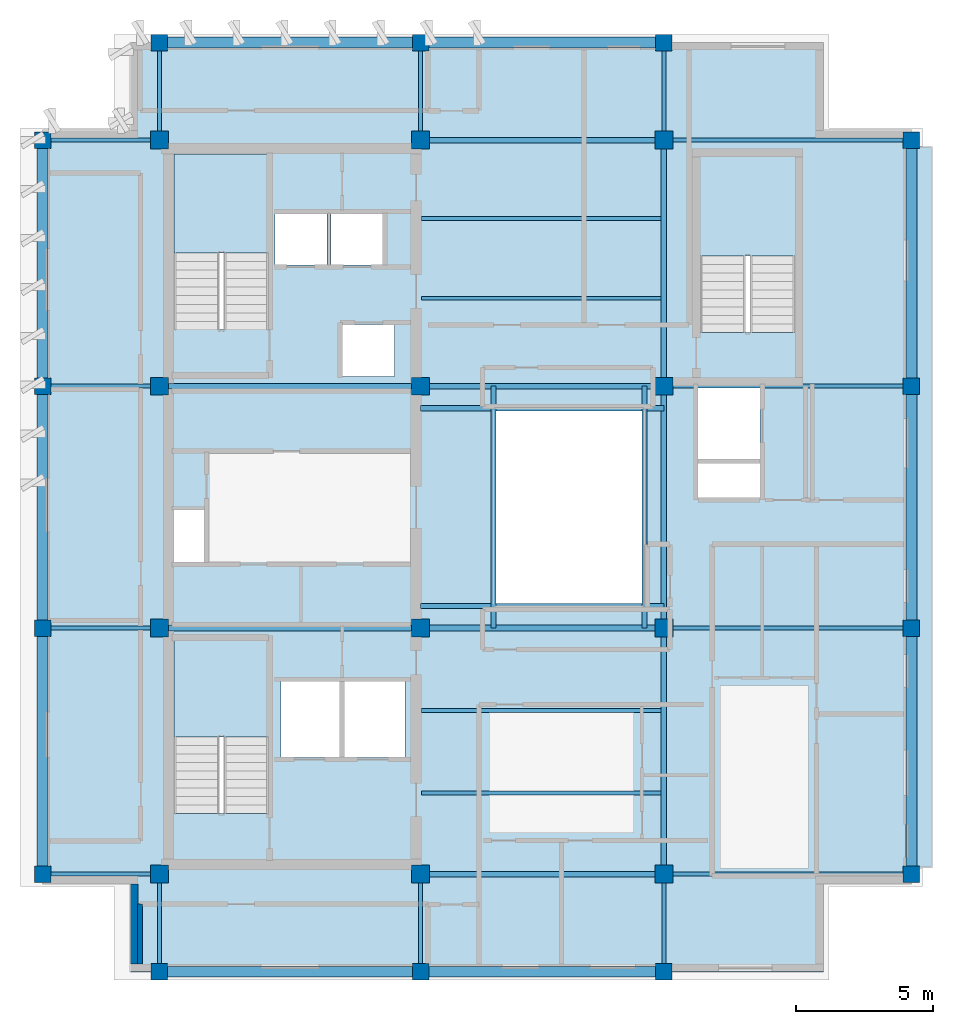
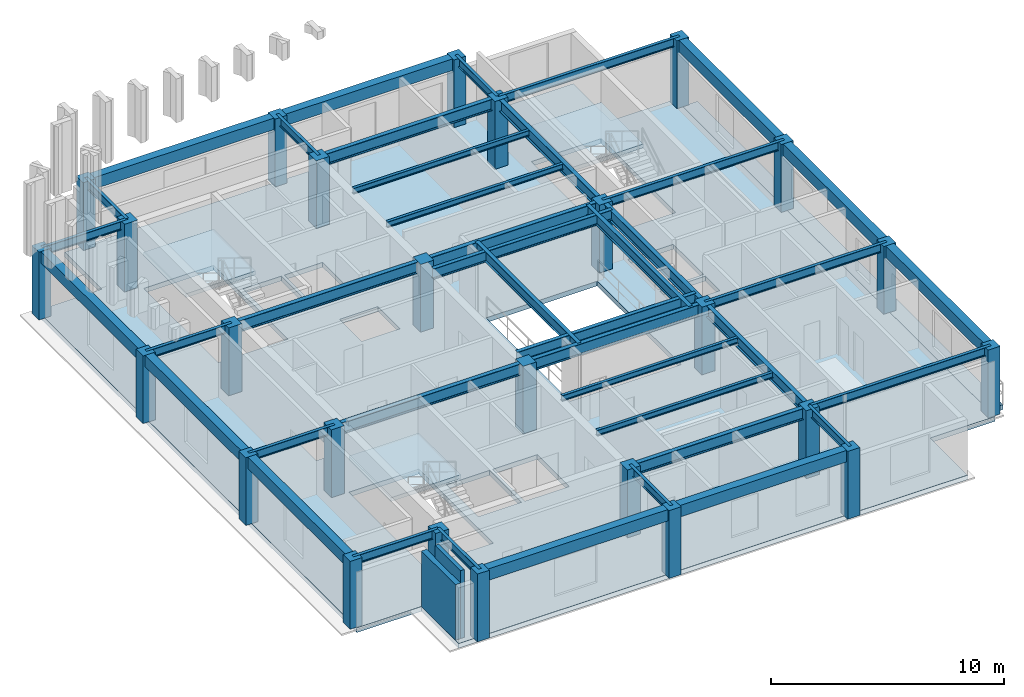
# One storey, part 1 of 9: 41 beams, 26 columns, 5 slabs, 2 walls, 3 elements without a shape of their own.
"""IFC4 building model written with IfcOpenShell, lengths in metres."""

from ifc_helpers import new_model, si_unit, direction, frame, frame_2d, origin, origin_2d, place, context, subcontext, project, spatial, polyline, rectangle, i_section, outline, extrude, material, layer, layer_set, material_profile, profile_set, type_object, element, aggregate, save


model = new_model("IFC4")

# Units and contexts
model_context = context("Model", 3, precision=1e-05, world=origin(), true_north=direction((0.0, 1.0)))
body_context = subcontext(model_context, "Body", "Model", "MODEL_VIEW")
ifc_project = project(units=[si_unit("LENGTHUNIT", "METRE"), si_unit("AREAUNIT", "SQUARE_METRE"), si_unit("VOLUMEUNIT", "CUBIC_METRE"), si_unit("PLANEANGLEUNIT", "RADIAN"), si_unit("MASSUNIT", "GRAM", prefix="KILO")], contexts=[model_context])

# Site, building, storey
site_placement = place(None, origin())
site = spatial("IfcSite", under=ifc_project, at=site_placement, CompositionType="ELEMENT")
building_placement = place(site_placement, origin())
building = spatial("IfcBuilding", under=site, at=building_placement, Name="Kundavana Baori Tower", CompositionType="ELEMENT")
storey_placement = place(building_placement, frame((0.0, 0.0, 342.89990234375)))
storey = spatial("IfcBuildingStorey", under=building, at=storey_placement, Name="L85", CompositionType="ELEMENT", Elevation=342.89990234375)

# Columns
ifc_material_1 = material(Name="Concrete C50/60", Category="concrete")
ifc_material_profile_1 = material_profile(ifc_material_1, rectangle(XDim=0.60009765625, YDim=0.60009765625, at=origin_2d()), Name="RC PF 600x600")
ifc_profile_set_1 = profile_set([ifc_material_profile_1], Name="Concrete C50/60")
column_type_1 = type_object("IfcColumnType", Name="COL-PF-600", PredefinedType="COLUMN", material=ifc_profile_set_1)
for number, where, z_axis, x_axis, name in (
    (1, (15.449951171875, 11.699951171875, 0.0), (0.0, 0.0, 1.0), (1.0, 0.0, 0.0), "L85 Stone-Clad Perimeter Frame Column PF-S1"),
    (2, (15.449951171875, 45.5, 0.0), (0.0, 0.0, 1.0), (1.0, 0.0, 0.0), "L85 Stone-Clad Perimeter Frame Column PF-N1"),
    (3, (24.949951171875, 11.699951171875, 0.0), (0.0, 0.0, 1.0), (1.0, 0.0, 0.0), "L85 Stone-Clad Perimeter Frame Column PF-S2"),
    (4, (24.949951171875, 45.5, 0.0), (0.0, 0.0, 1.0), (1.0, 0.0, 0.0), "L85 Stone-Clad Perimeter Frame Column PF-N2"),
    (5, (33.800048828125, 11.699951171875, 0.0), (0.0, 0.0, 1.0), (1.0, 0.0, 0.0), "L85 Stone-Clad Perimeter Frame Column PF-S3"),
    (6, (33.800048828125, 45.5, 0.0), (0.0, 0.0, 1.0), (1.0, 0.0, 0.0), "L85 Stone-Clad Perimeter Frame Column PF-N3"),
    (7, (11.199951171875, 15.25, 0.0), (0.0, 0.0, 1.0), (1.0, 0.0, 0.0), "L85 Stone-Clad Perimeter Frame Column PF-W1"),
    (8, (42.800048828125, 15.25, 0.0), (0.0, 0.0, 1.0), (1.0, 0.0, 0.0), "L85 Stone-Clad Perimeter Frame Column PF-E1"),
    (9, (11.199951171875, 24.199951171875, 0.0), (0.0, 0.0, 1.0), (1.0, 0.0, 0.0), "L85 Stone-Clad Perimeter Frame Column PF-W2"),
    (10, (42.800048828125, 24.199951171875, 0.0), (0.0, 0.0, 1.0), (1.0, 0.0, 0.0), "L85 Stone-Clad Perimeter Frame Column PF-E2"),
    (11, (11.199951171875, 33.0, 0.0), (0.0, 0.0, 1.0), (1.0, 0.0, 0.0), "L85 Stone-Clad Perimeter Frame Column PF-W3"),
    (12, (42.800048828125, 33.0, 0.0), (0.0, 0.0, 1.0), (1.0, 0.0, 0.0), "L85 Stone-Clad Perimeter Frame Column PF-E3"),
    (13, (11.199951171875, 41.949951171875, 0.0), (0.0, 0.0, 1.0), (1.0, 0.0, 0.0), "L85 Stone-Clad Perimeter Frame Column PF-W4"),
    (14, (42.800048828125, 41.949951171875, 0.0), (0.0, 0.0, 1.0), (1.0, 0.0, 0.0), "L85 Stone-Clad Perimeter Frame Column PF-E4"),
):
    element("IfcColumn", number, at=place(storey_placement, frame(where, z_axis=z_axis, x_axis=x_axis)), inside=storey, type_object=column_type_1, Name=name, PredefinedType="COLUMN", context=body_context, shape_type="SweptSolid", body=[
        extrude(rectangle(XDim=0.60009765625, YDim=0.60009765625, at=origin_2d()), origin(), (0.0, 0.0, 1.0), 3.550048828125),
    ])
ifc_material_2 = material(Name="Concrete C50/60", Category="concrete")
ifc_material_profile_2 = material_profile(ifc_material_2, rectangle(XDim=0.64990234375, YDim=0.64990234375, at=origin_2d()), Name="RC 650x650")
ifc_profile_set_2 = profile_set([ifc_material_profile_2], Name="Concrete C50/60")
column_type_2 = type_object("IfcColumnType", Name="COL-RC-650", PredefinedType="COLUMN", material=ifc_profile_set_2)
for number, where, z_axis, x_axis, name in (
    (15, (15.449951171875, 15.25, 0.0), (0.0, 0.0, 1.0), (1.0, 0.0, 0.0), "L85 Interior Column IC-3C"),
    (16, (15.449951171875, 24.199951171875, 0.0), (0.0, 0.0, 1.0), (1.0, 0.0, 0.0), "L85 Interior Column IC-3D"),
    (17, (15.449951171875, 33.0, 0.0), (0.0, 0.0, 1.0), (1.0, 0.0, 0.0), "L85 Interior Column IC-3E"),
    (18, (15.449951171875, 41.949951171875, 0.0), (0.0, 0.0, 1.0), (1.0, 0.0, 0.0), "L85 Interior Column IC-3F"),
    (19, (24.949951171875, 15.25, 0.0), (0.0, 0.0, 1.0), (1.0, 0.0, 0.0), "L85 Interior Column IC-4C"),
    (20, (24.949951171875, 24.199951171875, 0.0), (0.0, 0.0, 1.0), (1.0, 0.0, 0.0), "L85 Interior Column IC-4D"),
    (21, (24.949951171875, 33.0, 0.0), (0.0, 0.0, 1.0), (1.0, 0.0, 0.0), "L85 Interior Column IC-4E"),
    (22, (24.949951171875, 41.949951171875, 0.0), (0.0, 0.0, 1.0), (1.0, 0.0, 0.0), "L85 Interior Column IC-4F"),
    (23, (33.800048828125, 15.25, 0.0), (0.0, 0.0, 1.0), (1.0, 0.0, 0.0), "L85 Interior Column IC-5C"),
    (24, (33.800048828125, 24.199951171875, 0.0), (0.0, 0.0, 1.0), (1.0, 0.0, 0.0), "L85 Interior Column IC-5D"),
    (25, (33.800048828125, 33.0, 0.0), (0.0, 0.0, 1.0), (1.0, 0.0, 0.0), "L85 Interior Column IC-5E"),
    (26, (33.800048828125, 41.949951171875, 0.0), (0.0, 0.0, 1.0), (1.0, 0.0, 0.0), "L85 Interior Column IC-5F"),
):
    element("IfcColumn", number, at=place(storey_placement, frame(where, z_axis=z_axis, x_axis=x_axis)), inside=storey, type_object=column_type_2, Name=name, PredefinedType="COLUMN", context=body_context, shape_type="SweptSolid", body=[
        extrude(rectangle(XDim=0.64990234375, YDim=0.64990234375, at=origin_2d()), origin(), (0.0, 0.0, 1.0), 3.550048828125),
    ])

# Beams
ifc_material_3 = material(Name="Concrete C50/60", Category="concrete")
ifc_material_profile_3 = material_profile(ifc_material_3, rectangle(XDim=0.39990234375, YDim=0.60009765625, at=origin_2d()), Name="RC BM 400x600")
ifc_profile_set_3 = profile_set([ifc_material_profile_3], Name="Concrete C50/60")
beam_type_1 = type_object("IfcBeamType", Name="BM-PF-600", PredefinedType="SPANDREL", material=ifc_profile_set_3)
beam_1_placement = place(storey_placement, frame((15.449951171875, 11.699951171875, 3.25), z_axis=(1.0, 0.0, 0.0), x_axis=(0.0, 1.0, 0.0)))
element("IfcBeam", 27, at=beam_1_placement, inside=storey, type_object=beam_type_1, Name="L85 Perimeter Frame Ring Beam S1", PredefinedType="SPANDREL", context=body_context, shape_type="SweptSolid", body=[
    extrude(rectangle(XDim=0.39990234375, YDim=0.60009765625, at=origin_2d()), origin(), (0.0, 0.0, 1.0), 9.5),
])
beam_2_placement = place(storey_placement, frame((24.949951171875, 11.699951171875, 3.25), z_axis=(1.0, 0.0, 0.0), x_axis=(0.0, 1.0, 0.0)))
element("IfcBeam", 28, at=beam_2_placement, inside=storey, type_object=beam_type_1, Name="L85 Perimeter Frame Ring Beam S2", PredefinedType="SPANDREL", context=body_context, shape_type="SweptSolid", body=[
    extrude(rectangle(XDim=0.39990234375, YDim=0.60009765625, at=origin_2d()), origin(), (0.0, 0.0, 1.0), 8.85009765625),
])
beam_3_placement = place(storey_placement, frame((15.449951171875, 45.5, 3.25), z_axis=(1.0, 0.0, 0.0), x_axis=(0.0, 1.0, 0.0)))
element("IfcBeam", 29, at=beam_3_placement, inside=storey, type_object=beam_type_1, Name="L85 Perimeter Frame Ring Beam N1", PredefinedType="SPANDREL", context=body_context, shape_type="SweptSolid", body=[
    extrude(rectangle(XDim=0.39990234375, YDim=0.60009765625, at=origin_2d()), origin(), (0.0, 0.0, 1.0), 9.5),
])
beam_4_placement = place(storey_placement, frame((24.949951171875, 45.5, 3.25), z_axis=(1.0, 0.0, 0.0), x_axis=(0.0, 1.0, 0.0)))
element("IfcBeam", 30, at=beam_4_placement, inside=storey, type_object=beam_type_1, Name="L85 Perimeter Frame Ring Beam N2", PredefinedType="SPANDREL", context=body_context, shape_type="SweptSolid", body=[
    extrude(rectangle(XDim=0.39990234375, YDim=0.60009765625, at=origin_2d()), origin(), (0.0, 0.0, 1.0), 8.85009765625),
])
beam_5_placement = place(storey_placement, frame((11.199951171875, 15.25, 3.25), z_axis=(0.0, 1.0, 0.0), x_axis=(-1.0, 0.0, 0.0)))
element("IfcBeam", 31, at=beam_5_placement, inside=storey, type_object=beam_type_1, Name="L85 Perimeter Frame Ring Beam W1", PredefinedType="SPANDREL", context=body_context, shape_type="SweptSolid", body=[
    extrude(rectangle(XDim=0.39990234375, YDim=0.60009765625, at=origin_2d()), origin(), (0.0, 0.0, 1.0), 8.949951171875),
])
beam_6_placement = place(storey_placement, frame((11.199951171875, 24.199951171875, 3.25), z_axis=(0.0, 1.0, 0.0), x_axis=(-1.0, 0.0, 0.0)))
element("IfcBeam", 32, at=beam_6_placement, inside=storey, type_object=beam_type_1, Name="L85 Perimeter Frame Ring Beam W2", PredefinedType="SPANDREL", context=body_context, shape_type="SweptSolid", body=[
    extrude(rectangle(XDim=0.39990234375, YDim=0.60009765625, at=origin_2d()), origin(), (0.0, 0.0, 1.0), 8.800048828125),
])
for number, where, z_axis, x_axis, name in (
    (33, (11.199951171875, 33.0, 3.25), (0.0, 1.0, 0.0), (-1.0, 0.0, 0.0), "L85 Perimeter Frame Ring Beam W3"),
    (34, (42.800048828125, 15.25, 3.25), (0.0, 1.0, 0.0), (-1.0, 0.0, 0.0), "L85 Perimeter Frame Ring Beam E1"),
):
    element("IfcBeam", number, at=place(storey_placement, frame(where, z_axis=z_axis, x_axis=x_axis)), inside=storey, type_object=beam_type_1, Name=name, PredefinedType="SPANDREL", context=body_context, shape_type="SweptSolid", body=[
        extrude(rectangle(XDim=0.39990234375, YDim=0.60009765625, at=origin_2d()), origin(), (0.0, 0.0, 1.0), 8.949951171875),
    ])
beam_7_placement = place(storey_placement, frame((42.800048828125, 24.199951171875, 3.25), z_axis=(0.0, 1.0, 0.0), x_axis=(-1.0, 0.0, 0.0)))
element("IfcBeam", 35, at=beam_7_placement, inside=storey, type_object=beam_type_1, Name="L85 Perimeter Frame Ring Beam E2", PredefinedType="SPANDREL", context=body_context, shape_type="SweptSolid", body=[
    extrude(rectangle(XDim=0.39990234375, YDim=0.60009765625, at=origin_2d()), origin(), (0.0, 0.0, 1.0), 8.800048828125),
])
beam_8_placement = place(storey_placement, frame((42.800048828125, 33.0, 3.25), z_axis=(0.0, 1.0, 0.0), x_axis=(-1.0, 0.0, 0.0)))
element("IfcBeam", 36, at=beam_8_placement, inside=storey, type_object=beam_type_1, Name="L85 Perimeter Frame Ring Beam E3", PredefinedType="SPANDREL", context=body_context, shape_type="SweptSolid", body=[
    extrude(rectangle(XDim=0.39990234375, YDim=0.60009765625, at=origin_2d()), origin(), (0.0, 0.0, 1.0), 8.949951171875),
])
ifc_material_4 = material(Name="Structural Steel S355JR", Category="steel")
ifc_material_profile_4 = material_profile(ifc_material_4, i_section(OverallWidth=0.139892578125, OverallDepth=0.300048828125, WebThickness=0.0078125, FlangeThickness=0.01318359375, FilletRadius=0.013916015625, at=origin_2d()), Name="ISMB 300")
ifc_profile_set_4 = profile_set([ifc_material_profile_4], Name="Structural Steel S355JR")
beam_type_2 = type_object("IfcBeamType", Name="BM-RF-300", PredefinedType="BEAM", material=ifc_profile_set_4)
for number, where, z_axis, x_axis, name in (
    (37, (24.97998046875, 18.199951171875, 3.400146484375), (1.0, 0.0, 0.0), (0.0, 1.0, 0.0), "L85 Central Bay Composite Floor Joist C1"),
    (38, (24.97998046875, 21.199951171875, 3.400146484375), (1.0, 0.0, 0.0), (0.0, 1.0, 0.0), "L85 Central Bay Composite Floor Joist C2"),
    (39, (24.97998046875, 36.199951171875, 3.400146484375), (1.0, 0.0, 0.0), (0.0, 1.0, 0.0), "L85 Central Bay Composite Floor Joist C3"),
    (40, (24.97998046875, 39.10009765625, 3.400146484375), (1.0, 0.0, 0.0), (0.0, 1.0, 0.0), "L85 Central Bay Composite Floor Joist C4"),
):
    element("IfcBeam", number, at=place(storey_placement, frame(where, z_axis=z_axis, x_axis=x_axis)), inside=storey, type_object=beam_type_2, Name=name, PredefinedType="BEAM", context=body_context, shape_type="SweptSolid", body=[
        extrude(i_section(OverallWidth=0.139892578125, OverallDepth=0.300048828125, WebThickness=0.0078125, FlangeThickness=0.01318359375, FilletRadius=0.013916015625, at=origin_2d()), origin(), (0.0, 0.0, 1.0), 8.715087890625),
    ])
ifc_material_5 = material(Name="Structural Steel S355JR", Category="steel")
ifc_material_profile_5 = material_profile(ifc_material_5, i_section(OverallWidth=0.18994140625, OverallDepth=0.550048828125, WebThickness=0.01123046875, FlangeThickness=0.019287109375, FilletRadius=0.01806640625, at=origin_2d()), Name="ISMB 550")
ifc_profile_set_5 = profile_set([ifc_material_profile_5], Name="Structural Steel S355JR")
beam_type_3 = type_object("IfcBeamType", Name="BM-ST-550", PredefinedType="BEAM", material=ifc_profile_set_5)
for number, where, z_axis, x_axis, name in (
    (41, (27.60009765625, 24.199951171875, 3.275146484375), (0.0, 1.0, 0.0), (-1.0, 0.0, 0.0), "L85 Atrium West Edge Beam"),
    (42, (33.10009765625, 24.199951171875, 3.275146484375), (0.0, 1.0, 0.0), (-1.0, 0.0, 0.0), "L85 Atrium East Edge Beam"),
):
    element("IfcBeam", number, at=place(storey_placement, frame(where, z_axis=z_axis, x_axis=x_axis)), inside=storey, type_object=beam_type_3, Name=name, PredefinedType="BEAM", context=body_context, shape_type="SweptSolid", body=[
        extrude(i_section(OverallWidth=0.18994140625, OverallDepth=0.550048828125, WebThickness=0.01123046875, FlangeThickness=0.019287109375, FilletRadius=0.01806640625, at=origin_2d()), origin(), (0.0, 0.0, 1.0), 8.800048828125),
    ])
for number, where, z_axis, x_axis, name in (
    (43, (24.949951171875, 25.0, 3.275146484375), (1.0, 0.0, 0.0), (0.0, 1.0, 0.0), "L85 Atrium South Edge Beam"),
    (44, (24.949951171875, 32.199951171875, 3.275146484375), (1.0, 0.0, 0.0), (0.0, 1.0, 0.0), "L85 Atrium North Edge Beam"),
):
    element("IfcBeam", number, at=place(storey_placement, frame(where, z_axis=z_axis, x_axis=x_axis)), inside=storey, type_object=beam_type_3, Name=name, PredefinedType="BEAM", context=body_context, shape_type="SweptSolid", body=[
        extrude(i_section(OverallWidth=0.18994140625, OverallDepth=0.550048828125, WebThickness=0.01123046875, FlangeThickness=0.019287109375, FilletRadius=0.01806640625, at=origin_2d()), origin(), (0.0, 0.0, 1.0), 8.85009765625),
    ])
ifc_material_6 = material(Name="Structural Steel S355JR", Category="steel")
ifc_material_profile_6 = material_profile(ifc_material_6, i_section(OverallWidth=0.2099609375, OverallDepth=0.60009765625, WebThickness=0.011962890625, FlangeThickness=0.020751953125, FilletRadius=0.02001953125, at=origin_2d()), Name="ISMB 600")
ifc_profile_set_6 = profile_set([ifc_material_profile_6], Name="Structural Steel S355JR")
beam_type_4 = type_object("IfcBeamType", Name="BM-ST-600", PredefinedType="BEAM", material=ifc_profile_set_6)
beam_9_placement = place(storey_placement, frame((24.949951171875, 15.25, 3.25), z_axis=(1.0, 0.0, 0.0), x_axis=(0.0, 1.0, 0.0)))
element("IfcBeam", 45, at=beam_9_placement, inside=storey, type_object=beam_type_4, Name="L85 Primary Grid Girder GX-1-2", PredefinedType="BEAM", context=body_context, shape_type="SweptSolid", body=[
    extrude(i_section(OverallWidth=0.2099609375, OverallDepth=0.60009765625, WebThickness=0.011962890625, FlangeThickness=0.020751953125, FilletRadius=0.02001953125, at=origin_2d()), origin(), (0.0, 0.0, 1.0), 8.85009765625),
])
beam_10_placement = place(storey_placement, frame((15.449951171875, 24.199951171875, 3.25), z_axis=(1.0, 0.0, 0.0), x_axis=(0.0, 1.0, 0.0)))
element("IfcBeam", 46, at=beam_10_placement, inside=storey, type_object=beam_type_4, Name="L85 Primary Grid Girder GX-2-1", PredefinedType="BEAM", context=body_context, shape_type="SweptSolid", body=[
    extrude(i_section(OverallWidth=0.2099609375, OverallDepth=0.60009765625, WebThickness=0.011962890625, FlangeThickness=0.020751953125, FilletRadius=0.02001953125, at=origin_2d()), origin(), (0.0, 0.0, 1.0), 9.5),
])
beam_11_placement = place(storey_placement, frame((24.949951171875, 24.199951171875, 3.25), z_axis=(1.0, 0.0, 0.0), x_axis=(0.0, 1.0, 0.0)))
element("IfcBeam", 47, at=beam_11_placement, inside=storey, type_object=beam_type_4, Name="L85 Primary Grid Girder GX-2-2", PredefinedType="BEAM", context=body_context, shape_type="SweptSolid", body=[
    extrude(i_section(OverallWidth=0.2099609375, OverallDepth=0.60009765625, WebThickness=0.011962890625, FlangeThickness=0.020751953125, FilletRadius=0.02001953125, at=origin_2d()), origin(), (0.0, 0.0, 1.0), 8.85009765625),
])
beam_12_placement = place(storey_placement, frame((15.449951171875, 33.0, 3.25), z_axis=(1.0, 0.0, 0.0), x_axis=(0.0, 1.0, 0.0)))
element("IfcBeam", 48, at=beam_12_placement, inside=storey, type_object=beam_type_4, Name="L85 Primary Grid Girder GX-3-1", PredefinedType="BEAM", context=body_context, shape_type="SweptSolid", body=[
    extrude(i_section(OverallWidth=0.2099609375, OverallDepth=0.60009765625, WebThickness=0.011962890625, FlangeThickness=0.020751953125, FilletRadius=0.02001953125, at=origin_2d()), origin(), (0.0, 0.0, 1.0), 9.5),
])
for number, where, z_axis, x_axis, name in (
    (49, (24.949951171875, 33.0, 3.25), (1.0, 0.0, 0.0), (0.0, 1.0, 0.0), "L85 Primary Grid Girder GX-3-2"),
    (50, (24.949951171875, 41.949951171875, 3.25), (1.0, 0.0, 0.0), (0.0, 1.0, 0.0), "L85 Primary Grid Girder GX-4-2"),
):
    element("IfcBeam", number, at=place(storey_placement, frame(where, z_axis=z_axis, x_axis=x_axis)), inside=storey, type_object=beam_type_4, Name=name, PredefinedType="BEAM", context=body_context, shape_type="SweptSolid", body=[
        extrude(i_section(OverallWidth=0.2099609375, OverallDepth=0.60009765625, WebThickness=0.011962890625, FlangeThickness=0.020751953125, FilletRadius=0.02001953125, at=origin_2d()), origin(), (0.0, 0.0, 1.0), 8.85009765625),
    ])
beam_13_placement = place(storey_placement, frame((33.800048828125, 15.25, 3.25), z_axis=(0.0, 1.0, 0.0), x_axis=(-1.0, 0.0, 0.0)))
element("IfcBeam", 51, at=beam_13_placement, inside=storey, type_object=beam_type_4, Name="L85 Primary Grid Girder GY-3-1", PredefinedType="BEAM", context=body_context, shape_type="SweptSolid", body=[
    extrude(i_section(OverallWidth=0.2099609375, OverallDepth=0.60009765625, WebThickness=0.011962890625, FlangeThickness=0.020751953125, FilletRadius=0.02001953125, at=origin_2d()), origin(), (0.0, 0.0, 1.0), 8.949951171875),
])
beam_14_placement = place(storey_placement, frame((33.800048828125, 24.199951171875, 3.25), z_axis=(0.0, 1.0, 0.0), x_axis=(-1.0, 0.0, 0.0)))
element("IfcBeam", 52, at=beam_14_placement, inside=storey, type_object=beam_type_4, Name="L85 Primary Grid Girder GY-3-2", PredefinedType="BEAM", context=body_context, shape_type="SweptSolid", body=[
    extrude(i_section(OverallWidth=0.2099609375, OverallDepth=0.60009765625, WebThickness=0.011962890625, FlangeThickness=0.020751953125, FilletRadius=0.02001953125, at=origin_2d()), origin(), (0.0, 0.0, 1.0), 8.800048828125),
])
beam_15_placement = place(storey_placement, frame((33.800048828125, 33.0, 3.25), z_axis=(0.0, 1.0, 0.0), x_axis=(-1.0, 0.0, 0.0)))
element("IfcBeam", 53, at=beam_15_placement, inside=storey, type_object=beam_type_4, Name="L85 Primary Grid Girder GY-3-3", PredefinedType="BEAM", context=body_context, shape_type="SweptSolid", body=[
    extrude(i_section(OverallWidth=0.2099609375, OverallDepth=0.60009765625, WebThickness=0.011962890625, FlangeThickness=0.020751953125, FilletRadius=0.02001953125, at=origin_2d()), origin(), (0.0, 0.0, 1.0), 8.949951171875),
])
ifc_material_7 = material(Name="Structural Steel S355JR", Category="steel")
ifc_material_profile_7 = material_profile(ifc_material_7, i_section(OverallWidth=0.14990234375, OverallDepth=0.449951171875, WebThickness=0.009521484375, FlangeThickness=0.017333984375, FilletRadius=0.014892578125, at=origin_2d()), Name="ISMB 450")
ifc_profile_set_7 = profile_set([ifc_material_profile_7], Name="Structural Steel S355JR")
beam_type_5 = type_object("IfcBeamType", Name="BM-TIE-450", PredefinedType="BEAM", material=ifc_profile_set_7)
for number, where, z_axis, x_axis, name in (
    (54, (15.449951171875, 15.25, 3.3251953125), (0.0, -1.0, 0.0), (1.0, 0.0, 0.0), "L85 South Radial Loggia Tie Beam S1"),
    (55, (15.449951171875, 41.949951171875, 3.3251953125), (0.0, 1.0, 0.0), (-1.0, 0.0, 0.0), "L85 North Radial Loggia Tie Beam N1"),
    (56, (24.949951171875, 15.25, 3.3251953125), (0.0, -1.0, 0.0), (1.0, 0.0, 0.0), "L85 South Radial Loggia Tie Beam S2"),
    (57, (24.949951171875, 41.949951171875, 3.3251953125), (0.0, 1.0, 0.0), (-1.0, 0.0, 0.0), "L85 North Radial Loggia Tie Beam N2"),
    (58, (33.800048828125, 15.25, 3.3251953125), (0.0, -1.0, 0.0), (1.0, 0.0, 0.0), "L85 South Radial Loggia Tie Beam S3"),
    (59, (33.800048828125, 41.949951171875, 3.3251953125), (0.0, 1.0, 0.0), (-1.0, 0.0, 0.0), "L85 North Radial Loggia Tie Beam N3"),
):
    element("IfcBeam", number, at=place(storey_placement, frame(where, z_axis=z_axis, x_axis=x_axis)), inside=storey, type_object=beam_type_5, Name=name, PredefinedType="BEAM", context=body_context, shape_type="SweptSolid", body=[
        extrude(i_section(OverallWidth=0.14990234375, OverallDepth=0.449951171875, WebThickness=0.009521484375, FlangeThickness=0.017333984375, FilletRadius=0.014892578125, at=origin_2d()), origin(), (0.0, 0.0, 1.0), 3.550048828125),
    ])
beam_16_placement = place(storey_placement, frame((15.449951171875, 15.25, 3.3251953125), z_axis=(-1.0, 0.0, 0.0), x_axis=(0.0, -1.0, 0.0)))
element("IfcBeam", 60, at=beam_16_placement, inside=storey, type_object=beam_type_5, Name="L85 West Radial Loggia Tie Beam W1", PredefinedType="BEAM", context=body_context, shape_type="SweptSolid", body=[
    extrude(i_section(OverallWidth=0.14990234375, OverallDepth=0.449951171875, WebThickness=0.009521484375, FlangeThickness=0.017333984375, FilletRadius=0.014892578125, at=origin_2d()), origin(), (0.0, 0.0, 1.0), 4.25),
])
beam_17_placement = place(storey_placement, frame((33.800048828125, 15.25, 3.3251953125), z_axis=(1.0, 0.0, 0.0), x_axis=(0.0, 1.0, 0.0)))
element("IfcBeam", 61, at=beam_17_placement, inside=storey, type_object=beam_type_5, Name="L85 East Radial Loggia Tie Beam E1", PredefinedType="BEAM", context=body_context, shape_type="SweptSolid", body=[
    extrude(i_section(OverallWidth=0.14990234375, OverallDepth=0.449951171875, WebThickness=0.009521484375, FlangeThickness=0.017333984375, FilletRadius=0.014892578125, at=origin_2d()), origin(), (0.0, 0.0, 1.0), 9.0),
])
beam_18_placement = place(storey_placement, frame((15.449951171875, 24.199951171875, 3.3251953125), z_axis=(-1.0, 0.0, 0.0), x_axis=(0.0, -1.0, 0.0)))
element("IfcBeam", 62, at=beam_18_placement, inside=storey, type_object=beam_type_5, Name="L85 West Radial Loggia Tie Beam W2", PredefinedType="BEAM", context=body_context, shape_type="SweptSolid", body=[
    extrude(i_section(OverallWidth=0.14990234375, OverallDepth=0.449951171875, WebThickness=0.009521484375, FlangeThickness=0.017333984375, FilletRadius=0.014892578125, at=origin_2d()), origin(), (0.0, 0.0, 1.0), 4.25),
])
beam_19_placement = place(storey_placement, frame((33.800048828125, 24.199951171875, 3.3251953125), z_axis=(1.0, 0.0, 0.0), x_axis=(0.0, 1.0, 0.0)))
element("IfcBeam", 63, at=beam_19_placement, inside=storey, type_object=beam_type_5, Name="L85 East Radial Loggia Tie Beam E2", PredefinedType="BEAM", context=body_context, shape_type="SweptSolid", body=[
    extrude(i_section(OverallWidth=0.14990234375, OverallDepth=0.449951171875, WebThickness=0.009521484375, FlangeThickness=0.017333984375, FilletRadius=0.014892578125, at=origin_2d()), origin(), (0.0, 0.0, 1.0), 9.0),
])
beam_20_placement = place(storey_placement, frame((15.449951171875, 33.0, 3.3251953125), z_axis=(-1.0, 0.0, 0.0), x_axis=(0.0, -1.0, 0.0)))
element("IfcBeam", 64, at=beam_20_placement, inside=storey, type_object=beam_type_5, Name="L85 West Radial Loggia Tie Beam W3", PredefinedType="BEAM", context=body_context, shape_type="SweptSolid", body=[
    extrude(i_section(OverallWidth=0.14990234375, OverallDepth=0.449951171875, WebThickness=0.009521484375, FlangeThickness=0.017333984375, FilletRadius=0.014892578125, at=origin_2d()), origin(), (0.0, 0.0, 1.0), 4.25),
])
beam_21_placement = place(storey_placement, frame((33.800048828125, 33.0, 3.3251953125), z_axis=(1.0, 0.0, 0.0), x_axis=(0.0, 1.0, 0.0)))
element("IfcBeam", 65, at=beam_21_placement, inside=storey, type_object=beam_type_5, Name="L85 East Radial Loggia Tie Beam E3", PredefinedType="BEAM", context=body_context, shape_type="SweptSolid", body=[
    extrude(i_section(OverallWidth=0.14990234375, OverallDepth=0.449951171875, WebThickness=0.009521484375, FlangeThickness=0.017333984375, FilletRadius=0.014892578125, at=origin_2d()), origin(), (0.0, 0.0, 1.0), 9.0),
])
beam_22_placement = place(storey_placement, frame((15.449951171875, 41.949951171875, 3.3251953125), z_axis=(-1.0, 0.0, 0.0), x_axis=(0.0, -1.0, 0.0)))
element("IfcBeam", 66, at=beam_22_placement, inside=storey, type_object=beam_type_5, Name="L85 West Radial Loggia Tie Beam W4", PredefinedType="BEAM", context=body_context, shape_type="SweptSolid", body=[
    extrude(i_section(OverallWidth=0.14990234375, OverallDepth=0.449951171875, WebThickness=0.009521484375, FlangeThickness=0.017333984375, FilletRadius=0.014892578125, at=origin_2d()), origin(), (0.0, 0.0, 1.0), 4.25),
])
beam_23_placement = place(storey_placement, frame((33.800048828125, 41.949951171875, 3.3251953125), z_axis=(1.0, 0.0, 0.0), x_axis=(0.0, 1.0, 0.0)))
element("IfcBeam", 67, at=beam_23_placement, inside=storey, type_object=beam_type_5, Name="L85 East Radial Loggia Tie Beam E4", PredefinedType="BEAM", context=body_context, shape_type="SweptSolid", body=[
    extrude(i_section(OverallWidth=0.14990234375, OverallDepth=0.449951171875, WebThickness=0.009521484375, FlangeThickness=0.017333984375, FilletRadius=0.014892578125, at=origin_2d()), origin(), (0.0, 0.0, 1.0), 9.0),
])

# Slab
ifc_material_8 = material(Name="Concrete C40/50", Category="concrete")
ifc_layer_1 = layer(ifc_material_8, 0.25, Name="SLB-FLR-250")
ifc_layer_set_1 = layer_set([ifc_layer_1], Name="Concrete C40/50")
slab_type_1 = type_object("IfcSlabType", Name="SLB-FLR-250", PredefinedType="FLOOR", material=ifc_layer_set_1)
slab_1_placement = place(storey_placement, frame((0.0, 0.0, -0.25)))
element("IfcSlab", 68, at=slab_1_placement, inside=storey, type_object=slab_type_1, Name="L85 Structural Floor Slab", PredefinedType="FLOOR", context=body_context, shape_type="SweptSolid", body=[
    extrude(outline(polyline([(14.39990234375, 11.699951171875), (39.60009765625, 11.699951171875), (39.60009765625, 14.89990234375), (42.800048828125, 14.89990234375), (42.800048828125, 42.300048828125), (39.60009765625, 42.300048828125), (39.60009765625, 45.5), (14.39990234375, 45.5), (14.39990234375, 42.300048828125), (11.199951171875, 42.300048828125), (11.199951171875, 14.89990234375), (14.39990234375, 14.89990234375), (14.39990234375, 11.699951171875)]), holes=[polyline([(19.43994140625, 17.4619140625), (19.43994140625, 23.85009765625), (15.97998046875, 23.85009765625), (15.97998046875, 17.4619140625), (19.43994140625, 17.4619140625)]), polyline([(19.43994140625, 35.06201171875), (19.43994140625, 41.449951171875), (15.97998046875, 41.449951171875), (15.97998046875, 35.06201171875), (19.43994140625, 35.06201171875)]), polyline([(38.580078125, 34.9619140625), (38.580078125, 41.35009765625), (35.1201171875, 41.35009765625), (35.1201171875, 34.9619140625), (38.580078125, 34.9619140625)]), polyline([(19.64990234375, 37.39990234375), (21.550048828125, 37.39990234375), (21.550048828125, 39.300048828125), (19.64990234375, 39.300048828125), (19.64990234375, 37.39990234375)]), polyline([(21.699951171875, 37.39990234375), (23.60009765625, 37.39990234375), (23.60009765625, 39.300048828125), (21.699951171875, 39.300048828125), (21.699951171875, 37.39990234375)]), polyline([(22.10009765625, 33.35009765625), (24.0, 33.35009765625), (24.0, 35.25), (22.10009765625, 35.25), (22.10009765625, 33.35009765625)]), polyline([(19.8798828125, 19.5), (22.02001953125, 19.5), (22.02001953125, 22.25), (19.8798828125, 22.25), (19.8798828125, 19.5)]), polyline([(22.179931640625, 19.5), (24.3798828125, 19.5), (24.3798828125, 22.25), (22.179931640625, 22.25), (22.179931640625, 19.5)]), polyline([(35.050048828125, 30.35009765625), (37.300048828125, 30.35009765625), (37.300048828125, 32.949951171875), (35.050048828125, 32.949951171875), (35.050048828125, 30.35009765625)]), polyline([(15.949951171875, 26.60009765625), (17.080078125, 26.60009765625), (17.080078125, 28.5), (15.949951171875, 28.5), (15.949951171875, 26.60009765625)]), polyline([(35.050048828125, 28.949951171875), (37.300048828125, 28.949951171875), (37.300048828125, 30.199951171875), (35.050048828125, 30.199951171875), (35.050048828125, 28.949951171875)]), polyline([(27.60009765625, 25.0), (33.10009765625, 25.0), (33.10009765625, 32.199951171875), (27.60009765625, 32.199951171875), (27.60009765625, 25.0)])]), origin(), (0.0, 0.0, 1.0), 0.25),
])

# Stair, slab
ifc_material_9 = material(Name="Concrete C40/50", Category="concrete")
stair_type = type_object("IfcStairType", Name="STR-DOG-1650", PredefinedType="HALF_TURN_STAIR", material=ifc_material_9)
stair_1_placement = place(storey_placement, origin())
stair_1 = element("IfcStair", 69, at=stair_1_placement, inside=storey, type_object=stair_type, Name="L85 Protected Exit Stair ST1", PredefinedType="HALF_TURN_STAIR")
ifc_material_10 = material(Name="Concrete C40/50", Category="concrete")
ifc_layer_2 = layer(ifc_material_10, 0.199951171875, Name="SLB-LND-200")
ifc_layer_set_2 = layer_set([ifc_layer_2], Name="Concrete C40/50")
slab_type_2 = type_object("IfcSlabType", Name="SLB-LND-200", PredefinedType="LANDING", material=ifc_layer_set_2)
slab_2_placement = place(storey_placement, frame((0.0, 0.0, 1.7001953125)))
slab_2 = element("IfcSlab", 70, at=slab_2_placement, type_object=slab_type_2, Name="ST1 landing 1", PredefinedType="LANDING", context=body_context, shape_type="SweptSolid", body=[
    extrude(outline(polyline([(19.43994140625, 20.239990234375), (19.43994140625, 23.85009765625), (15.97998046875, 23.85009765625), (15.97998046875, 20.239990234375), (19.43994140625, 20.239990234375)])), origin(), (0.0, 0.0, 1.0), 0.199951171875),
])
aggregate(stair_1, [slab_2])

stair_2_placement = place(storey_placement, origin())
stair_2 = element("IfcStair", 71, at=stair_2_placement, inside=storey, type_object=stair_type, Name="L85 Protected Exit Stair ST2", PredefinedType="HALF_TURN_STAIR")
slab_3_placement = place(storey_placement, frame((0.0, 0.0, 1.7001953125)))
slab_3 = element("IfcSlab", 72, at=slab_3_placement, type_object=slab_type_2, Name="ST2 landing 1", PredefinedType="LANDING", context=body_context, shape_type="SweptSolid", body=[
    extrude(outline(polyline([(19.43994140625, 37.840087890625), (19.43994140625, 41.449951171875), (15.97998046875, 41.449951171875), (15.97998046875, 37.840087890625), (19.43994140625, 37.840087890625)])), origin(), (0.0, 0.0, 1.0), 0.199951171875),
])
aggregate(stair_2, [slab_3])

stair_3_placement = place(storey_placement, origin())
stair_3 = element("IfcStair", 73, at=stair_3_placement, inside=storey, type_object=stair_type, Name="L85 Protected Exit Stair ST3", PredefinedType="HALF_TURN_STAIR")
slab_4_placement = place(storey_placement, frame((0.0, 0.0, 1.7001953125)))
slab_4 = element("IfcSlab", 74, at=slab_4_placement, type_object=slab_type_2, Name="ST3 landing 1", PredefinedType="LANDING", context=body_context, shape_type="SweptSolid", body=[
    extrude(outline(polyline([(38.580078125, 37.739990234375), (38.580078125, 41.35009765625), (35.1201171875, 41.35009765625), (35.1201171875, 37.739990234375), (38.580078125, 37.739990234375)])), origin(), (0.0, 0.0, 1.0), 0.199951171875),
])
aggregate(stair_3, [slab_4])

# Slab
ifc_material_11 = material(Name="Concrete C40/50", Category="concrete")
ifc_layer_3 = layer(ifc_material_11, 0.260009765625, Name="SLB-TER-260")
ifc_layer_set_3 = layer_set([ifc_layer_3], Name="Concrete C40/50")
slab_type_3 = type_object("IfcSlabType", Name="SLB-TER-260", PredefinedType="ROOF", material=ifc_layer_set_3)
slab_5_placement = place(storey_placement, frame((0.0, 0.0, -0.260009765625)))
element("IfcSlab", 75, at=slab_5_placement, inside=storey, type_object=slab_type_3, Name="L85 Planted Sky Terrace Slab E", PredefinedType="ROOF", context=body_context, shape_type="SweptSolid", body=[
    extrude(outline(polyline([(42.800048828125, 15.5), (42.800048828125, 41.699951171875), (43.550048828125, 41.699951171875), (43.550048828125, 15.5), (42.800048828125, 15.5)])), origin(), (0.0, 0.0, 1.0), 0.260009765625),
])

# Walls
ifc_material_12 = material(Name="Red-Buff Dholpur Sandstone Cladding on Concrete C40/50", Category="masonry")
ifc_layer_4 = layer(ifc_material_12, 0.280029296875, Name="WL-EXT-SAND-280")
ifc_layer_set_4 = layer_set([ifc_layer_4], Name="Red-Buff Dholpur Sandstone Cladding on Concrete C40/50")
wall_type_1 = type_object("IfcWallType", Name="WL-EXT-SAND-280", PredefinedType="STANDARD", material=ifc_layer_set_4)
wall_1_placement = place(storey_placement, frame((14.5400390625, 14.89990234375, 0.0), z_axis=(0.0, 0.0, 1.0), x_axis=(0.0, -1.0, 0.0)))
element("IfcWall", 76, at=wall_1_placement, inside=storey, type_object=wall_type_1, Name="L85 Exterior Insulated Facade Wall 12", PredefinedType="STANDARD", context=body_context, shape_type="SweptSolid", body=[
    extrude(rectangle(XDim=2.919921875, YDim=0.280029296875, at=frame_2d((1.4599609375, 0.0))), origin(), (0.0, 0.0, 1.0), 2.91015625),
])
ifc_material_13 = material(Name="Autoclaved Aerated Concrete Blockwork Masonry", Category="masonry")
ifc_layer_5 = layer(ifc_material_13, 0.18505859375, Name="WL-PART-180")
ifc_layer_set_5 = layer_set([ifc_layer_5], Name="Autoclaved Aerated Concrete Blockwork Masonry")
wall_type_2 = type_object("IfcWallType", Name="WL-PART-180", PredefinedType="SOLIDWALL", material=ifc_layer_set_5)
wall_2_placement = place(storey_placement, frame((14.75, 11.97998046875, 0.0), z_axis=(0.0, 0.0, 1.0), x_axis=(0.0, 1.0, 0.0)))
element("IfcWall", 77, at=wall_2_placement, inside=storey, type_object=wall_type_2, Name="WL-L85-RSCW", PredefinedType="SOLIDWALL", context=body_context, shape_type="SweptSolid", body=[
    extrude(rectangle(XDim=2.18994140625, YDim=0.18505859375, at=frame_2d((1.094970703125, 0.0))), origin(), (0.0, 0.0, 1.0), 3.550048828125),
])

save(model, "model.ifc")
